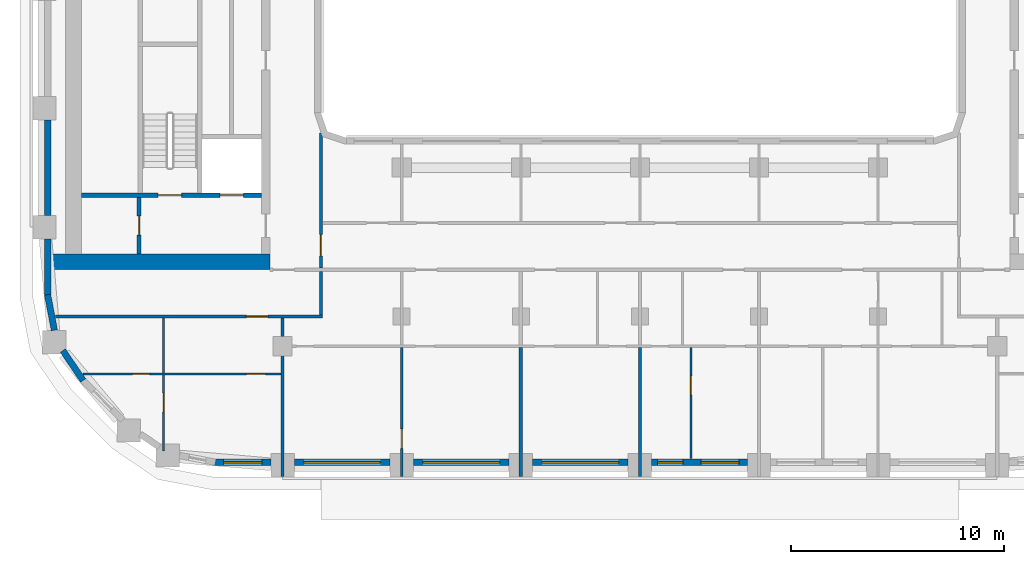
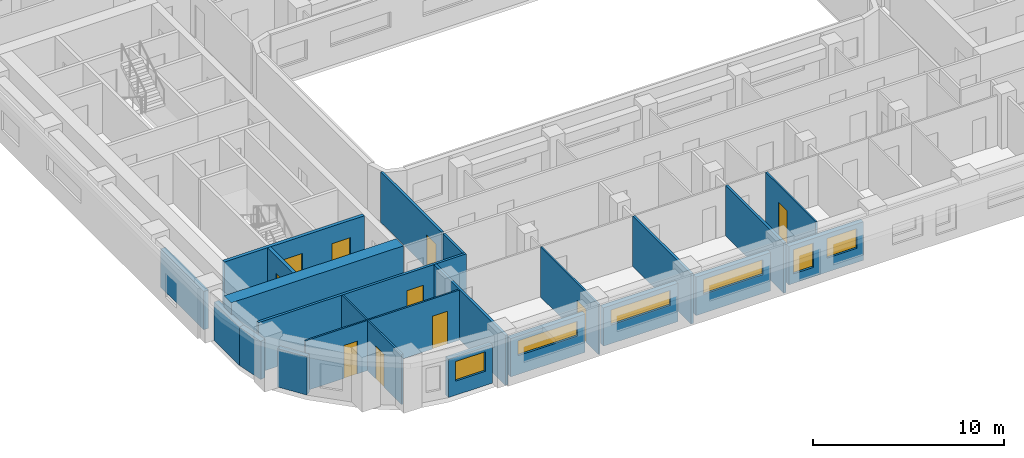
# One storey, part 2 of 22: 23 walls, 10 doors, 6 windows, 16 openings.
"""IFC4 building model written with IfcOpenShell, lengths in metres."""

from ifc_helpers import new_model, si_unit, direction, frame, frame_2d, origin, place, context, subcontext, project, spatial, rectangle, extrude, material, layer, layer_set, type_object, element, fill, save


model = new_model("IFC4")

# Units and contexts
model_context = context("Model", 3, precision=1e-05, world=origin(), true_north=direction((0.0, 1.0)))
body_context = subcontext(model_context, "Body", "Model", "MODEL_VIEW")
ifc_project = project(units=[si_unit("LENGTHUNIT", "METRE"), si_unit("AREAUNIT", "SQUARE_METRE"), si_unit("VOLUMEUNIT", "CUBIC_METRE"), si_unit("PLANEANGLEUNIT", "RADIAN"), si_unit("MASSUNIT", "GRAM", prefix="KILO")], contexts=[model_context])

# Site, building, storey
site_placement = place(None, origin())
site = spatial("IfcSite", under=ifc_project, at=site_placement, CompositionType="ELEMENT")
building_placement = place(site_placement, origin())
building = spatial("IfcBuilding", under=site, at=building_placement, Name="Kiln Ring Residences", CompositionType="ELEMENT")
storey_placement = place(building_placement, frame((0.0, 0.0, 143.10009765625)))
storey = spatial("IfcBuildingStorey", under=building, at=storey_placement, Name="L36", CompositionType="ELEMENT", Elevation=143.10009765625)

# Wall, opening, door
ifc_material_1 = material(Name="Gypsum board on steel studs", Category="steel")
ifc_layer_1 = layer(ifc_material_1, 0.199951171875)
ifc_layer_set_1 = layer_set([ifc_layer_1], Name="CORE-PARTITION-200")
wall_type_1 = type_object("IfcWallType", Name="CORE-PARTITION-200", PredefinedType="PARTITIONING", material=ifc_layer_set_1)
wall_1_placement = place(storey_placement, frame((-23.550048828125, -12.449951171875, 0.0), z_axis=(0.0, 0.0, 1.0), x_axis=(0.0, 1.0, 0.0)))
wall_1 = element("IfcWall", 1, at=wall_1_placement, inside=storey, type_object=wall_type_1, Name="Core partition west L36 5", PredefinedType="PARTITIONING", context=body_context, shape_type="SweptSolid", body=[
    extrude(rectangle(XDim=2.64990234375, YDim=0.199951171875, at=frame_2d((1.324951171875, 0.0))), origin(), (0.0, 0.0, 1.0), 3.199951171875),
])
opening_1_placement = place(wall_1_placement, frame((0.875, 0.0, 0.0)))
opening_1 = element("IfcOpeningElement", 2, at=opening_1_placement, cuts=wall_1, Name="Opening L36-CW10", PredefinedType="OPENING", context=body_context, shape_type="SweptSolid", body=[
    extrude(rectangle(XDim=0.89990234375, YDim=2.10009765625, at=frame_2d((0.449951171875, 1.050048828125))), frame((0.0, 0.10986328125, 0.0), z_axis=(0.0, -1.0, 0.0), x_axis=(1.0, 0.0, 0.0)), (0.0, 0.0, 1.0), 0.219970703125),
])
ifc_material_2 = material(Name="Steel door leaf", Category="steel")
door_type_1 = type_object("IfcDoorType", Name="CORE-DOOR-ROOM", OperationType="SINGLE_SWING_LEFT", PredefinedType="DOOR", material=ifc_material_2)
door_1_placement = place(opening_1_placement, origin())
door_1 = element("IfcDoor", 3, at=door_1_placement, inside=storey, type_object=door_type_1, Name="Store L36-CW10", OperationType="SINGLE_SWING_RIGHT", OverallHeight=2.10009765625, OverallWidth=0.89990234375, PredefinedType="DOOR", context=body_context, shape_type="SweptSolid", body=[
    extrude(rectangle(XDim=0.89990234375, YDim=2.10009765625, at=frame_2d((0.449951171875, 1.050048828125))), frame((0.0, 0.02490234375, 0.0), z_axis=(0.0, -1.0, 0.0), x_axis=(1.0, 0.0, 0.0)), (0.0, 0.0, 1.0), 0.050048828125),
])
fill(opening_1, door_1)

# Wall, openings, doors
ifc_material_3 = material(Name="Concrete C40/50", Category="concrete")
ifc_layer_2 = layer(ifc_material_3, 0.199951171875)
ifc_layer_set_2 = layer_set([ifc_layer_2], Name="CORE-WALL-RC200")
wall_type_2 = type_object("IfcWallType", Name="CORE-WALL-RC200", PredefinedType="SHEAR", material=ifc_layer_set_2)
wall_2_placement = place(storey_placement, frame((-17.800048828125, -9.699951171875, 0.0), z_axis=(0.0, 0.0, 1.0), x_axis=(-1.0, 0.0, 0.0)))
wall_2 = element("IfcWall", 4, at=wall_2_placement, inside=storey, type_object=wall_type_2, Name="Core wall west L36 8", PredefinedType="SHEAR", context=body_context, shape_type="SweptSolid", body=[
    extrude(rectangle(XDim=8.449951171875, YDim=0.199951171875, at=frame_2d((4.22509765625, 0.0))), origin(), (0.0, 0.0, 1.0), 3.199951171875),
])
opening_2_placement = place(wall_2_placement, frame((0.85009765625, 0.0, 0.0)))
opening_2 = element("IfcOpeningElement", 5, at=opening_2_placement, cuts=wall_2, Name="Opening L36-CW01", PredefinedType="OPENING", context=body_context, shape_type="SweptSolid", body=[
    extrude(rectangle(XDim=1.10009765625, YDim=2.10009765625, at=frame_2d((0.550048828125, 1.050048828125))), frame((0.0, 0.10986328125, 0.0), z_axis=(0.0, -1.0, 0.0), x_axis=(1.0, 0.0, 0.0)), (0.0, 0.0, 1.0), 0.219970703125),
])
opening_3_placement = place(wall_2_placement, frame((3.75, 0.0, 0.0)))
opening_3 = element("IfcOpeningElement", 6, at=opening_3_placement, cuts=wall_2, Name="Opening L36-CW12", PredefinedType="OPENING", context=body_context, shape_type="SweptSolid", body=[
    extrude(rectangle(XDim=1.10009765625, YDim=2.10009765625, at=frame_2d((0.550048828125, 1.050048828125))), frame((0.0, 0.10986328125, 0.0), z_axis=(0.0, -1.0, 0.0), x_axis=(1.0, 0.0, 0.0)), (0.0, 0.0, 1.0), 0.219970703125),
])
ifc_material_4 = material(Name="Steel door leaf", Category="steel")
door_type_2 = type_object("IfcDoorType", Name="CORE-DOOR-LD", OperationType="DOUBLE_DOOR_SLIDING", PredefinedType="DOOR", material=ifc_material_4)
door_2_placement = place(opening_2_placement, origin())
door_2 = element("IfcDoor", 7, at=door_2_placement, inside=storey, type_object=door_type_2, Name="LD W-SV L36-CW01", OperationType="DOUBLE_DOOR_SLIDING", OverallHeight=2.10009765625, OverallWidth=1.10009765625, PredefinedType="DOOR", context=body_context, shape_type="SweptSolid", body=[
    extrude(rectangle(XDim=1.10009765625, YDim=2.10009765625, at=frame_2d((0.550048828125, 1.050048828125))), frame((0.0, 0.02490234375, 0.0), z_axis=(0.0, -1.0, 0.0), x_axis=(1.0, 0.0, 0.0)), (0.0, 0.0, 1.0), 0.050048828125),
])
fill(opening_2, door_2)
ifc_material_5 = material(Name="Steel door leaf", Category="steel")
door_type_3 = type_object("IfcDoorType", Name="CORE-DOOR-STAIR", OperationType="SINGLE_SWING_LEFT", PredefinedType="DOOR", material=ifc_material_5)
door_3_placement = place(opening_3_placement, origin())
door_3 = element("IfcDoor", 8, at=door_3_placement, inside=storey, type_object=door_type_3, Name="Stair W-STS L36-CW12", OperationType="SINGLE_SWING_LEFT", OverallHeight=2.10009765625, OverallWidth=1.10009765625, PredefinedType="DOOR", context=body_context, shape_type="SweptSolid", body=[
    extrude(rectangle(XDim=1.10009765625, YDim=2.10009765625, at=frame_2d((0.550048828125, 1.050048828125))), frame((0.0, 0.02490234375, 0.0), z_axis=(0.0, -1.0, 0.0), x_axis=(1.0, 0.0, 0.0)), (0.0, 0.0, 1.0), 0.050048828125),
])
fill(opening_3, door_3)

# Wall
ifc_material_6 = material(Name="Concrete C60/75", Category="concrete")
ifc_layer_3 = layer(ifc_material_6, 0.75)
ifc_layer_set_3 = layer_set([ifc_layer_3], Name="CORE-WALL-RC750")
wall_type_3 = type_object("IfcWallType", Name="CORE-WALL-RC750", PredefinedType="SHEAR", material=ifc_layer_set_3)
wall_3_placement = place(storey_placement, frame((-17.39990234375, -12.824951171875, 0.0), z_axis=(0.0, 0.0, 1.0), x_axis=(-1.0, 0.0, 0.0)))
element("IfcWall", 9, at=wall_3_placement, inside=storey, type_object=wall_type_3, Name="Core wall west L36 5", PredefinedType="SHEAR", context=body_context, shape_type="SweptSolid", body=[
    extrude(rectangle(XDim=10.400146484375, YDim=0.75, at=frame_2d((5.2001953125, 0.0))), origin(), (0.0, 0.0, 1.0), 3.199951171875),
])

# Wall, opening, window
ifc_material_7 = material(Name="Brick masonry, dark clay brick", Category="masonry")
ifc_layer_4 = layer(ifc_material_7, 0.300048828125)
ifc_layer_set_4 = layer_set([ifc_layer_4], Name="EW-300 BRICK WALL")
wall_type_4 = type_object("IfcWallType", Name="EW-300 BRICK WALL", PredefinedType="SOLIDWALL", material=ifc_layer_set_4)
wall_4_placement = place(storey_placement, frame((-20.0, -22.25, 0.0), z_axis=(0.0, 0.0, 1.0), x_axis=(1.0, 0.0, 0.0)))
wall_4 = element("IfcWall", 10, at=wall_4_placement, inside=storey, type_object=wall_type_4, Name="Facade wall L36 4", PredefinedType="SOLIDWALL", context=body_context, shape_type="SweptSolid", body=[
    extrude(rectangle(XDim=2.64990234375, YDim=0.300048828125, at=frame_2d((1.324951171875, 0.0))), origin(), (0.0, 0.0, 1.0), 2.449951171875),
])
opening_4_placement = place(wall_4_placement, frame((0.425048828125, 0.0, 0.89990234375)))
opening_4 = element("IfcOpeningElement", 11, at=opening_4_placement, cuts=wall_4, Name="Opening W2", PredefinedType="OPENING", context=body_context, shape_type="SweptSolid", body=[
    extrude(rectangle(XDim=1.800048828125, YDim=1.25, at=frame_2d((0.89990234375, 0.625))), frame((0.0, 0.159912109375, 0.0), z_axis=(0.0, -1.0, 0.0), x_axis=(1.0, 0.0, 0.0)), (0.0, 0.0, 1.0), 0.320068359375),
])
ifc_material_8 = material(Name="Aluminium frame with double glazing", Category="aluminium")
window_type_1 = type_object("IfcWindowType", Name="WINDOW 1800 x 1250", PartitioningType="SINGLE_PANEL", PredefinedType="WINDOW", material=ifc_material_8)
window_1_placement = place(opening_4_placement, origin())
window_1 = element("IfcWindow", 12, at=window_1_placement, inside=storey, type_object=window_type_1, Name="Window L36 3", OverallHeight=1.25, OverallWidth=1.800048828125, PartitioningType="SINGLE_PANEL", PredefinedType="WINDOW", context=body_context, shape_type="SweptSolid", body=[
    extrude(rectangle(XDim=1.800048828125, YDim=1.25, at=frame_2d((0.89990234375, 0.625))), frame((0.0, 0.030029296875, 0.0), z_axis=(0.0, -1.0, 0.0), x_axis=(1.0, 0.0, 0.0)), (0.0, 0.0, 1.0), 0.06005859375),
])
fill(opening_4, window_1)

wall_5_placement = place(storey_placement, frame((-16.25, -22.25, 0.0), z_axis=(0.0, 0.0, 1.0), x_axis=(1.0, 0.0, 0.0)))
wall_5 = element("IfcWall", 13, at=wall_5_placement, inside=storey, type_object=wall_type_4, Name="Facade wall L36 5", PredefinedType="SOLIDWALL", context=body_context, shape_type="SweptSolid", body=[
    extrude(rectangle(XDim=4.5, YDim=0.300048828125, at=frame_2d((2.25, 0.0))), origin(), (0.0, 0.0, 1.0), 2.449951171875),
])
opening_5_placement = place(wall_5_placement, frame((0.449951171875, 0.0, 1.199951171875)))
opening_5 = element("IfcOpeningElement", 14, at=opening_5_placement, cuts=wall_5, Name="Opening W4", PredefinedType="OPENING", context=body_context, shape_type="SweptSolid", body=[
    extrude(rectangle(XDim=3.60009765625, YDim=0.949951171875, at=frame_2d((1.800048828125, 0.47509765625))), frame((0.0, 0.159912109375, 0.0), z_axis=(0.0, -1.0, 0.0), x_axis=(1.0, 0.0, 0.0)), (0.0, 0.0, 1.0), 0.320068359375),
])
ifc_material_9 = material(Name="Aluminium frame with double glazing", Category="aluminium")
window_type_2 = type_object("IfcWindowType", Name="WINDOW 3600 x 950", PartitioningType="SINGLE_PANEL", PredefinedType="WINDOW", material=ifc_material_9)
window_2_placement = place(opening_5_placement, origin())
window_2 = element("IfcWindow", 15, at=window_2_placement, inside=storey, type_object=window_type_2, Name="Window L36 4", OverallHeight=0.949951171875, OverallWidth=3.60009765625, PartitioningType="SINGLE_PANEL", PredefinedType="WINDOW", context=body_context, shape_type="SweptSolid", body=[
    extrude(rectangle(XDim=3.60009765625, YDim=0.949951171875, at=frame_2d((1.800048828125, 0.47509765625))), frame((0.0, 0.030029296875, 0.0), z_axis=(0.0, -1.0, 0.0), x_axis=(1.0, 0.0, 0.0)), (0.0, 0.0, 1.0), 0.06005859375),
])
fill(opening_5, window_2)

wall_6_placement = place(storey_placement, frame((-10.64990234375, -22.25, 0.0), z_axis=(0.0, 0.0, 1.0), x_axis=(1.0, 0.0, 0.0)))
wall_6 = element("IfcWall", 16, at=wall_6_placement, inside=storey, type_object=wall_type_4, Name="Facade wall L36 6", PredefinedType="SOLIDWALL", context=body_context, shape_type="SweptSolid", body=[
    extrude(rectangle(XDim=4.5, YDim=0.300048828125, at=frame_2d((2.25, 0.0))), origin(), (0.0, 0.0, 1.0), 2.449951171875),
])
opening_6_placement = place(wall_6_placement, frame((0.449951171875, 0.0, 1.199951171875)))
opening_6 = element("IfcOpeningElement", 17, at=opening_6_placement, cuts=wall_6, Name="Opening W4", PredefinedType="OPENING", context=body_context, shape_type="SweptSolid", body=[
    extrude(rectangle(XDim=3.60009765625, YDim=0.949951171875, at=frame_2d((1.800048828125, 0.47509765625))), frame((0.0, 0.159912109375, 0.0), z_axis=(0.0, -1.0, 0.0), x_axis=(1.0, 0.0, 0.0)), (0.0, 0.0, 1.0), 0.320068359375),
])
window_3_placement = place(opening_6_placement, origin())
window_3 = element("IfcWindow", 18, at=window_3_placement, inside=storey, type_object=window_type_2, Name="Window L36 5", OverallHeight=0.949951171875, OverallWidth=3.60009765625, PartitioningType="SINGLE_PANEL", PredefinedType="WINDOW", context=body_context, shape_type="SweptSolid", body=[
    extrude(rectangle(XDim=3.60009765625, YDim=0.949951171875, at=frame_2d((1.800048828125, 0.47509765625))), frame((0.0, 0.030029296875, 0.0), z_axis=(0.0, -1.0, 0.0), x_axis=(1.0, 0.0, 0.0)), (0.0, 0.0, 1.0), 0.06005859375),
])
fill(opening_6, window_3)

wall_7_placement = place(storey_placement, frame((-5.050048828125, -22.25, 0.0), z_axis=(0.0, 0.0, 1.0), x_axis=(1.0, 0.0, 0.0)))
wall_7 = element("IfcWall", 19, at=wall_7_placement, inside=storey, type_object=wall_type_4, Name="Facade wall L36 7", PredefinedType="SOLIDWALL", context=body_context, shape_type="SweptSolid", body=[
    extrude(rectangle(XDim=4.5, YDim=0.300048828125, at=frame_2d((2.25, 0.0))), origin(), (0.0, 0.0, 1.0), 2.449951171875),
])
opening_7_placement = place(wall_7_placement, frame((0.449951171875, 0.0, 1.199951171875)))
opening_7 = element("IfcOpeningElement", 20, at=opening_7_placement, cuts=wall_7, Name="Opening W4", PredefinedType="OPENING", context=body_context, shape_type="SweptSolid", body=[
    extrude(rectangle(XDim=3.60009765625, YDim=0.949951171875, at=frame_2d((1.800048828125, 0.47509765625))), frame((0.0, 0.159912109375, 0.0), z_axis=(0.0, -1.0, 0.0), x_axis=(1.0, 0.0, 0.0)), (0.0, 0.0, 1.0), 0.320068359375),
])
window_4_placement = place(opening_7_placement, origin())
window_4 = element("IfcWindow", 21, at=window_4_placement, inside=storey, type_object=window_type_2, Name="Window L36 6", OverallHeight=0.949951171875, OverallWidth=3.60009765625, PartitioningType="SINGLE_PANEL", PredefinedType="WINDOW", context=body_context, shape_type="SweptSolid", body=[
    extrude(rectangle(XDim=3.60009765625, YDim=0.949951171875, at=frame_2d((1.800048828125, 0.47509765625))), frame((0.0, 0.030029296875, 0.0), z_axis=(0.0, -1.0, 0.0), x_axis=(1.0, 0.0, 0.0)), (0.0, 0.0, 1.0), 0.06005859375),
])
fill(opening_7, window_4)

# Wall, openings, windows
wall_8_placement = place(storey_placement, frame((0.550048828125, -22.25, 0.0), z_axis=(0.0, 0.0, 1.0), x_axis=(1.0, 0.0, 0.0)))
wall_8 = element("IfcWall", 22, at=wall_8_placement, inside=storey, type_object=wall_type_4, Name="Facade wall L36 8", PredefinedType="SOLIDWALL", context=body_context, shape_type="SweptSolid", body=[
    extrude(rectangle(XDim=4.5, YDim=0.300048828125, at=frame_2d((2.25, 0.0))), origin(), (0.0, 0.0, 1.0), 2.449951171875),
])
opening_8_placement = place(wall_8_placement, frame((0.28759765625, 0.0, 0.60009765625)))
opening_8 = element("IfcOpeningElement", 23, at=opening_8_placement, cuts=wall_8, Name="Opening W1", PredefinedType="OPENING", context=body_context, shape_type="SweptSolid", body=[
    extrude(rectangle(XDim=1.199951171875, YDim=1.550048828125, at=frame_2d((0.60009765625, 0.77490234375))), frame((0.0, 0.159912109375, 0.0), z_axis=(0.0, -1.0, 0.0), x_axis=(1.0, 0.0, 0.0)), (0.0, 0.0, 1.0), 0.320068359375),
])
opening_9_placement = place(wall_8_placement, frame((2.3125, 0.0, 0.89990234375)))
opening_9 = element("IfcOpeningElement", 24, at=opening_9_placement, cuts=wall_8, Name="Opening W2", PredefinedType="OPENING", context=body_context, shape_type="SweptSolid", body=[
    extrude(rectangle(XDim=1.800048828125, YDim=1.25, at=frame_2d((0.89990234375, 0.625))), frame((0.0, 0.159912109375, 0.0), z_axis=(0.0, -1.0, 0.0), x_axis=(1.0, 0.0, 0.0)), (0.0, 0.0, 1.0), 0.320068359375),
])
ifc_material_10 = material(Name="Aluminium frame with double glazing", Category="aluminium")
window_type_3 = type_object("IfcWindowType", Name="WINDOW 1200 x 1550", PartitioningType="SINGLE_PANEL", PredefinedType="WINDOW", material=ifc_material_10)
window_5_placement = place(opening_8_placement, origin())
window_5 = element("IfcWindow", 25, at=window_5_placement, inside=storey, type_object=window_type_3, Name="Window L36 7", OverallHeight=1.550048828125, OverallWidth=1.199951171875, PartitioningType="SINGLE_PANEL", PredefinedType="WINDOW", context=body_context, shape_type="SweptSolid", body=[
    extrude(rectangle(XDim=1.199951171875, YDim=1.550048828125, at=frame_2d((0.60009765625, 0.77490234375))), frame((0.0, 0.030029296875, 0.0), z_axis=(0.0, -1.0, 0.0), x_axis=(1.0, 0.0, 0.0)), (0.0, 0.0, 1.0), 0.06005859375),
])
fill(opening_8, window_5)
window_6_placement = place(opening_9_placement, origin())
window_6 = element("IfcWindow", 26, at=window_6_placement, inside=storey, type_object=window_type_1, Name="Window L36 8", OverallHeight=1.25, OverallWidth=1.800048828125, PartitioningType="SINGLE_PANEL", PredefinedType="WINDOW", context=body_context, shape_type="SweptSolid", body=[
    extrude(rectangle(XDim=1.800048828125, YDim=1.25, at=frame_2d((0.89990234375, 0.625))), frame((0.0, 0.030029296875, 0.0), z_axis=(0.0, -1.0, 0.0), x_axis=(1.0, 0.0, 0.0)), (0.0, 0.0, 1.0), 0.06005859375),
])
fill(opening_9, window_6)

# Walls
wall_9_placement = place(storey_placement, frame((-27.85009765625, -6.14990234375, 0.0), z_axis=(0.0, 0.0, 1.0), x_axis=(0.0, -1.0, 0.0)))
element("IfcWall", 27, at=wall_9_placement, inside=storey, type_object=wall_type_4, Name="Facade wall L36 45", PredefinedType="SOLIDWALL", context=body_context, shape_type="SweptSolid", body=[
    extrude(rectangle(XDim=4.5, YDim=0.300048828125, at=frame_2d((2.25, 0.0))), origin(), (0.0, 0.0, 1.0), 2.449951171875),
])
wall_10_placement = place(storey_placement, frame((-27.85009765625, -11.75, 0.0), z_axis=(0.0, 0.0, 1.0), x_axis=(0.0, -1.0, 0.0)))
element("IfcWall", 28, at=wall_10_placement, inside=storey, type_object=wall_type_4, Name="Facade wall L36 46", PredefinedType="SOLIDWALL", context=body_context, shape_type="SweptSolid", body=[
    extrude(rectangle(XDim=2.64990234375, YDim=0.300048828125, at=frame_2d((1.324951171875, 0.0))), origin(), (0.0, 0.0, 1.0), 2.449951171875),
])
wall_11_placement = place(storey_placement, frame((-27.8525390625, -14.371826171875, 0.0), z_axis=(0.0, 0.0, 1.0), x_axis=(0.187302784601, -0.982302227871, 0.0)))
element("IfcWall", 29, at=wall_11_placement, inside=storey, type_object=wall_type_4, Name="Facade wall L36 47", PredefinedType="SOLIDWALL", context=body_context, shape_type="SweptSolid", body=[
    extrude(rectangle(XDim=1.706298828125, YDim=0.300048828125, at=frame_2d((0.85302734375, 0.0))), origin(), (0.0, 0.0, 1.0), 2.449951171875),
])
wall_12_placement = place(storey_placement, frame((-27.137939453125, -17.001708984375, 0.0), z_axis=(0.0, 0.0, 1.0), x_axis=(0.562075160946, -0.827086158419, 0.0)))
element("IfcWall", 30, at=wall_12_placement, inside=storey, type_object=wall_type_4, Name="Facade wall L36 48", PredefinedType="SOLIDWALL", context=body_context, shape_type="SweptSolid", body=[
    extrude(rectangle(XDim=1.7060546875, YDim=0.300048828125, at=frame_2d((0.85302734375, 0.0))), origin(), (0.0, 0.0, 1.0), 2.449951171875),
])

# Wall, openings, doors
ifc_material_11 = material(Name="Gypsum board on steel studs", Category="steel")
ifc_layer_5 = layer(ifc_material_11, 0.10009765625)
ifc_layer_set_5 = layer_set([ifc_layer_5], Name="PARTITION-100")
wall_type_5 = type_object("IfcWallType", Name="PARTITION-100", PredefinedType="PARTITIONING", material=ifc_layer_set_5)
wall_13_placement = place(storey_placement, frame((-26.190185546875, -18.10009765625, 0.0), z_axis=(0.0, 0.0, 1.0), x_axis=(1.0, 0.0, 0.0)))
wall_13 = element("IfcWall", 31, at=wall_13_placement, inside=storey, type_object=wall_type_5, Name="Partition 000", PredefinedType="PARTITIONING", context=body_context, shape_type="SweptSolid", body=[
    extrude(rectangle(XDim=9.315185546875, YDim=0.10009765625, at=frame_2d((4.65771484375, 0.0))), origin(), (0.0, 0.0, 1.0), 3.199951171875),
])
opening_10_placement = place(wall_13_placement, frame((2.340087890625, 0.0, 0.0)))
opening_10 = element("IfcOpeningElement", 32, at=opening_10_placement, cuts=wall_13, Name="Opening L36-D071", PredefinedType="OPENING", context=body_context, shape_type="SweptSolid", body=[
    extrude(rectangle(XDim=0.800048828125, YDim=2.10009765625, at=frame_2d((0.39990234375, 1.050048828125))), frame((0.0, 0.06005859375, 0.0), z_axis=(0.0, -1.0, 0.0), x_axis=(1.0, 0.0, 0.0)), (0.0, 0.0, 1.0), 0.1201171875),
])
opening_11_placement = place(wall_13_placement, frame((7.690185546875, 0.0, 0.0)))
opening_11 = element("IfcOpeningElement", 33, at=opening_11_placement, cuts=wall_13, Name="Opening L36-D072", PredefinedType="OPENING", context=body_context, shape_type="SweptSolid", body=[
    extrude(rectangle(XDim=0.89990234375, YDim=2.10009765625, at=frame_2d((0.449951171875, 1.050048828125))), frame((0.0, 0.06005859375, 0.0), z_axis=(0.0, -1.0, 0.0), x_axis=(1.0, 0.0, 0.0)), (0.0, 0.0, 1.0), 0.1201171875),
])
ifc_material_12 = material(Name="Timber door leaf", Category="wood")
door_type_4 = type_object("IfcDoorType", Name="FLAT-DOOR-800-PL", OperationType="SINGLE_SWING_LEFT", PredefinedType="DOOR", material=ifc_material_12)
door_4_placement = place(opening_10_placement, origin())
door_4 = element("IfcDoor", 34, at=door_4_placement, inside=storey, type_object=door_type_4, Name="Door L36-D071", OperationType="SINGLE_SWING_LEFT", OverallHeight=2.10009765625, OverallWidth=0.800048828125, PredefinedType="DOOR", context=body_context, shape_type="SweptSolid", body=[
    extrude(rectangle(XDim=0.800048828125, YDim=2.10009765625, at=frame_2d((0.39990234375, 1.050048828125))), frame((0.0, 0.02490234375, 0.0), z_axis=(0.0, -1.0, 0.0), x_axis=(1.0, 0.0, 0.0)), (0.0, 0.0, 1.0), 0.050048828125),
])
fill(opening_10, door_4)
ifc_material_13 = material(Name="Timber door leaf", Category="wood")
door_type_5 = type_object("IfcDoorType", Name="FLAT-DOOR-900-PL", OperationType="SINGLE_SWING_LEFT", PredefinedType="DOOR", material=ifc_material_13)
door_5_placement = place(opening_11_placement, origin())
door_5 = element("IfcDoor", 35, at=door_5_placement, inside=storey, type_object=door_type_5, Name="Door L36-D072", OperationType="SINGLE_SWING_RIGHT", OverallHeight=2.10009765625, OverallWidth=0.89990234375, PredefinedType="DOOR", context=body_context, shape_type="SweptSolid", body=[
    extrude(rectangle(XDim=0.89990234375, YDim=2.10009765625, at=frame_2d((0.449951171875, 1.050048828125))), frame((0.0, 0.02490234375, 0.0), z_axis=(0.0, -1.0, 0.0), x_axis=(1.0, 0.0, 0.0)), (0.0, 0.0, 1.0), 0.050048828125),
])
fill(opening_11, door_5)

# Wall, opening, door
wall_14_placement = place(storey_placement, frame((-22.39990234375, -21.719970703125, 0.0), z_axis=(0.0, 0.0, 1.0), x_axis=(0.0, 1.0, 0.0)))
wall_14 = element("IfcWall", 36, at=wall_14_placement, inside=storey, type_object=wall_type_5, Name="Partition 014", PredefinedType="PARTITIONING", context=body_context, shape_type="SweptSolid", body=[
    extrude(rectangle(XDim=3.570068359375, YDim=0.10009765625, at=frame_2d((1.78515625, 0.0))), origin(), (0.0, 0.0, 1.0), 3.199951171875),
])
opening_12_placement = place(wall_14_placement, frame((1.820068359375, 0.0, 0.0)))
opening_12 = element("IfcOpeningElement", 37, at=opening_12_placement, cuts=wall_14, Name="Opening L36-D073", PredefinedType="OPENING", context=body_context, shape_type="SweptSolid", body=[
    extrude(rectangle(XDim=0.89990234375, YDim=2.10009765625, at=frame_2d((0.449951171875, 1.050048828125))), frame((0.0, 0.06005859375, 0.0), z_axis=(0.0, -1.0, 0.0), x_axis=(1.0, 0.0, 0.0)), (0.0, 0.0, 1.0), 0.1201171875),
])
door_6_placement = place(opening_12_placement, origin())
door_6 = element("IfcDoor", 38, at=door_6_placement, inside=storey, type_object=door_type_5, Name="Door L36-D073", OperationType="SINGLE_SWING_LEFT", OverallHeight=2.10009765625, OverallWidth=0.89990234375, PredefinedType="DOOR", context=body_context, shape_type="SweptSolid", body=[
    extrude(rectangle(XDim=0.89990234375, YDim=2.10009765625, at=frame_2d((0.449951171875, 1.050048828125))), frame((0.0, 0.02490234375, 0.0), z_axis=(0.0, -1.0, 0.0), x_axis=(1.0, 0.0, 0.0)), (0.0, 0.0, 1.0), 0.050048828125),
])
fill(opening_12, door_6)

# Wall
wall_15_placement = place(storey_placement, frame((-22.39990234375, -18.050048828125, 0.0), z_axis=(0.0, 0.0, 1.0), x_axis=(0.0, 1.0, 0.0)))
element("IfcWall", 39, at=wall_15_placement, inside=storey, type_object=wall_type_5, Name="Partition 015", PredefinedType="PARTITIONING", context=body_context, shape_type="SweptSolid", body=[
    extrude(rectangle(XDim=2.574951171875, YDim=0.10009765625, at=frame_2d((1.28759765625, 0.0))), origin(), (0.0, 0.0, 1.0), 3.199951171875),
])

# Wall, opening, door
wall_16_placement = place(storey_placement, frame((-11.199951171875, -22.929931640625, 0.0), z_axis=(0.0, 0.0, 1.0), x_axis=(0.0, 1.0, 0.0)))
wall_16 = element("IfcWall", 40, at=wall_16_placement, inside=storey, type_object=wall_type_5, Name="Partition 024", PredefinedType="PARTITIONING", context=body_context, shape_type="SweptSolid", body=[
    extrude(rectangle(XDim=6.079833984375, YDim=0.10009765625, at=frame_2d((3.0400390625, 0.0))), origin(), (0.0, 0.0, 1.0), 3.199951171875),
])
opening_13_placement = place(wall_16_placement, frame((1.330078125, 0.0, 0.0)))
opening_13 = element("IfcOpeningElement", 41, at=opening_13_placement, cuts=wall_16, Name="Opening L36-D052", PredefinedType="OPENING", context=body_context, shape_type="SweptSolid", body=[
    extrude(rectangle(XDim=0.89990234375, YDim=2.10009765625, at=frame_2d((0.449951171875, 1.050048828125))), frame((0.0, 0.06005859375, 0.0), z_axis=(0.0, -1.0, 0.0), x_axis=(1.0, 0.0, 0.0)), (0.0, 0.0, 1.0), 0.1201171875),
])
door_7_placement = place(opening_13_placement, origin())
door_7 = element("IfcDoor", 42, at=door_7_placement, inside=storey, type_object=door_type_5, Name="Door L36-D052", OperationType="SINGLE_SWING_RIGHT", OverallHeight=2.10009765625, OverallWidth=0.89990234375, PredefinedType="DOOR", context=body_context, shape_type="SweptSolid", body=[
    extrude(rectangle(XDim=0.89990234375, YDim=2.10009765625, at=frame_2d((0.449951171875, 1.050048828125))), frame((0.0, 0.02490234375, 0.0), z_axis=(0.0, -1.0, 0.0), x_axis=(1.0, 0.0, 0.0)), (0.0, 0.0, 1.0), 0.050048828125),
])
fill(opening_13, door_7)

wall_17_placement = place(storey_placement, frame((2.39990234375, -22.080078125, 0.0), z_axis=(0.0, 0.0, 1.0), x_axis=(0.0, 1.0, 0.0)))
wall_17 = element("IfcWall", 43, at=wall_17_placement, inside=storey, type_object=wall_type_5, Name="Partition 046", PredefinedType="PARTITIONING", context=body_context, shape_type="SweptSolid", body=[
    extrude(rectangle(XDim=5.22998046875, YDim=0.10009765625, at=frame_2d((2.614990234375, 0.0))), origin(), (0.0, 0.0, 1.0), 3.199951171875),
])
opening_14_placement = place(wall_17_placement, frame((2.97998046875, 0.0, 0.0)))
opening_14 = element("IfcOpeningElement", 44, at=opening_14_placement, cuts=wall_17, Name="Opening L36-D059", PredefinedType="OPENING", context=body_context, shape_type="SweptSolid", body=[
    extrude(rectangle(XDim=0.89990234375, YDim=2.10009765625, at=frame_2d((0.449951171875, 1.050048828125))), frame((0.0, 0.06005859375, 0.0), z_axis=(0.0, -1.0, 0.0), x_axis=(1.0, 0.0, 0.0)), (0.0, 0.0, 1.0), 0.1201171875),
])
door_8_placement = place(opening_14_placement, origin())
door_8 = element("IfcDoor", 45, at=door_8_placement, inside=storey, type_object=door_type_5, Name="Door L36-D059", OperationType="SINGLE_SWING_LEFT", OverallHeight=2.10009765625, OverallWidth=0.89990234375, PredefinedType="DOOR", context=body_context, shape_type="SweptSolid", body=[
    extrude(rectangle(XDim=0.89990234375, YDim=2.10009765625, at=frame_2d((0.449951171875, 1.050048828125))), frame((0.0, 0.02490234375, 0.0), z_axis=(0.0, -1.0, 0.0), x_axis=(1.0, 0.0, 0.0)), (0.0, 0.0, 1.0), 0.050048828125),
])
fill(opening_14, door_8)

ifc_material_14 = material(Name="Brick masonry partition", Category="masonry")
ifc_layer_6 = layer(ifc_material_14, 0.14990234375)
ifc_layer_set_6 = layer_set([ifc_layer_6], Name="PARTITION-150-ei60")
wall_type_6 = type_object("IfcWallType", Name="PARTITION-150-ei60", PredefinedType="PARTITIONING", material=ifc_layer_set_6)
wall_18_placement = place(storey_placement, frame((-27.48388671875, -15.39990234375, 0.0), z_axis=(0.0, 0.0, 1.0), x_axis=(1.0, 0.0, 0.0)))
wall_18 = element("IfcWall", 46, at=wall_18_placement, inside=storey, type_object=wall_type_6, Name="Partition 003", PredefinedType="PARTITIONING", context=body_context, shape_type="SweptSolid", body=[
    extrude(rectangle(XDim=12.558837890625, YDim=0.14990234375, at=frame_2d((6.279296875, 0.0))), origin(), (0.0, 0.0, 1.0), 3.199951171875),
])
opening_15_placement = place(wall_18_placement, frame((8.98388671875, 0.0, 0.0)))
opening_15 = element("IfcOpeningElement", 47, at=opening_15_placement, cuts=wall_18, Name="Opening L36-D070", PredefinedType="OPENING", context=body_context, shape_type="SweptSolid", body=[
    extrude(rectangle(XDim=1.0, YDim=2.10009765625, at=frame_2d((0.5, 1.050048828125))), frame((0.0, 0.0849609375, 0.0), z_axis=(0.0, -1.0, 0.0), x_axis=(1.0, 0.0, 0.0)), (0.0, 0.0, 1.0), 0.169921875),
])
ifc_material_15 = material(Name="Steel faced fire door leaf", Category="steel")
door_type_6 = type_object("IfcDoorType", Name="FLAT-DOOR-1000-FR", OperationType="SINGLE_SWING_LEFT", PredefinedType="DOOR", material=ifc_material_15)
door_9_placement = place(opening_15_placement, origin())
door_9 = element("IfcDoor", 48, at=door_9_placement, inside=storey, type_object=door_type_6, Name="Door L36-D070", OperationType="SINGLE_SWING_RIGHT", OverallHeight=2.10009765625, OverallWidth=1.0, PredefinedType="DOOR", context=body_context, shape_type="SweptSolid", body=[
    extrude(rectangle(XDim=1.0, YDim=2.10009765625, at=frame_2d((0.5, 1.050048828125))), frame((0.0, 0.02490234375, 0.0), z_axis=(0.0, -1.0, 0.0), x_axis=(1.0, 0.0, 0.0)), (0.0, 0.0, 1.0), 0.050048828125),
])
fill(opening_15, door_9)

# Walls
wall_19_placement = place(storey_placement, frame((-16.800048828125, -22.929931640625, 0.0), z_axis=(0.0, 0.0, 1.0), x_axis=(0.0, 1.0, 0.0)))
element("IfcWall", 49, at=wall_19_placement, inside=storey, type_object=wall_type_6, Name="Partition 018", PredefinedType="PARTITIONING", context=body_context, shape_type="SweptSolid", body=[
    extrude(rectangle(XDim=7.454833984375, YDim=0.14990234375, at=frame_2d((3.7275390625, 0.0))), origin(), (0.0, 0.0, 1.0), 3.199951171875),
])
wall_20_placement = place(storey_placement, frame((-15.0, -15.324951171875, 0.0), z_axis=(0.0, 0.0, 1.0), x_axis=(0.0, 1.0, 0.0)))
element("IfcWall", 50, at=wall_20_placement, inside=storey, type_object=wall_type_6, Name="Partition 020", PredefinedType="PARTITIONING", context=body_context, shape_type="SweptSolid", body=[
    extrude(rectangle(XDim=2.050048828125, YDim=0.14990234375, at=frame_2d((1.02490234375, 0.0))), origin(), (0.0, 0.0, 1.0), 3.199951171875),
])

# Wall, opening, door
wall_21_placement = place(storey_placement, frame((-15.0, -13.125, 0.0), z_axis=(0.0, 0.0, 1.0), x_axis=(0.0, 1.0, 0.0)))
wall_21 = element("IfcWall", 51, at=wall_21_placement, inside=storey, type_object=wall_type_6, Name="Partition 021", PredefinedType="PARTITIONING", context=body_context, shape_type="SweptSolid", body=[
    extrude(rectangle(XDim=6.356201171875, YDim=0.14990234375, at=frame_2d((3.17822265625, 0.0))), origin(), (0.0, 0.0, 1.0), 3.199951171875),
])
opening_16_placement = place(wall_21_placement, frame((0.574951171875, 0.0, 0.0)))
opening_16 = element("IfcOpeningElement", 52, at=opening_16_placement, cuts=wall_21, Name="Opening L36-D005", PredefinedType="OPENING", context=body_context, shape_type="SweptSolid", body=[
    extrude(rectangle(XDim=1.0, YDim=2.10009765625, at=frame_2d((0.5, 1.050048828125))), frame((0.0, 0.0849609375, 0.0), z_axis=(0.0, -1.0, 0.0), x_axis=(1.0, 0.0, 0.0)), (0.0, 0.0, 1.0), 0.169921875),
])
door_10_placement = place(opening_16_placement, origin())
door_10 = element("IfcDoor", 53, at=door_10_placement, inside=storey, type_object=door_type_6, Name="Door L36-D005", OperationType="SINGLE_SWING_RIGHT", OverallHeight=2.10009765625, OverallWidth=1.0, PredefinedType="DOOR", context=body_context, shape_type="SweptSolid", body=[
    extrude(rectangle(XDim=1.0, YDim=2.10009765625, at=frame_2d((0.5, 1.050048828125))), frame((0.0, 0.02490234375, 0.0), z_axis=(0.0, -1.0, 0.0), x_axis=(1.0, 0.0, 0.0)), (0.0, 0.0, 1.0), 0.050048828125),
])
fill(opening_16, door_10)

# Walls
for number, where, z_axis, x_axis, name in (
    (54, (-5.60009765625, -22.929931640625, 0.0), (0.0, 0.0, 1.0), (0.0, 1.0, 0.0), "Partition 032"),
    (55, (0.0, -22.929931640625, 0.0), (0.0, 0.0, 1.0), (0.0, 1.0, 0.0), "Partition 041"),
):
    element("IfcWall", number, at=place(storey_placement, frame(where, z_axis=z_axis, x_axis=x_axis)), inside=storey, type_object=wall_type_6, Name=name, PredefinedType="PARTITIONING", context=body_context, shape_type="SweptSolid", body=[
        extrude(rectangle(XDim=6.079833984375, YDim=0.14990234375, at=frame_2d((3.0400390625, 0.0))), origin(), (0.0, 0.0, 1.0), 3.199951171875),
    ])

save(model, "model.ifc")
